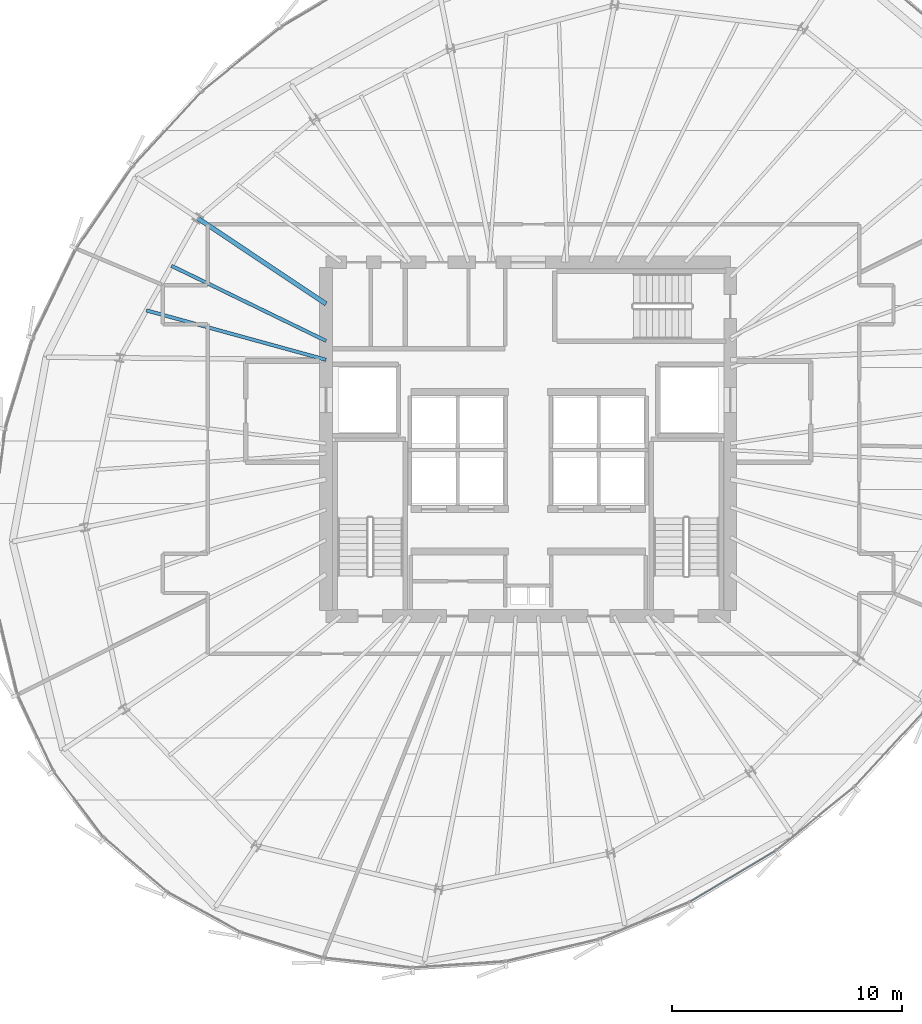
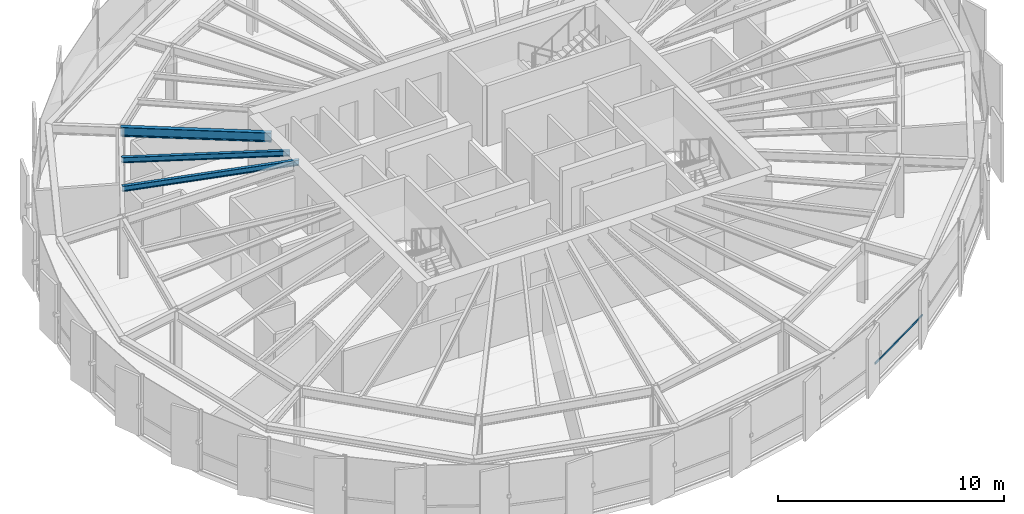
# One storey, part 11 of 34: 3 beams, 1 member, 1 element without a shape of its own.
"""IFC4 building model written with IfcOpenShell, lengths in metres."""

from ifc_helpers import new_model, si_unit, direction, frame, origin, origin_2d, place, context, subcontext, project, spatial, hollow_rectangle, i_section, extrude, source, transform, mapped, material, layer, layer_set, material_profile, profile_set, type_object, element, aggregate, save


model = new_model("IFC4")

# Units and contexts
model_context = context("Model", 3, precision=1e-05, world=origin(), true_north=direction((0.0, 1.0)))
body_context = subcontext(model_context, "Body", "Model", "MODEL_VIEW")
ifc_project = project(units=[si_unit("LENGTHUNIT", "METRE"), si_unit("AREAUNIT", "SQUARE_METRE"), si_unit("VOLUMEUNIT", "CUBIC_METRE"), si_unit("PLANEANGLEUNIT", "RADIAN"), si_unit("MASSUNIT", "GRAM", prefix="KILO"), si_unit("THERMODYNAMICTEMPERATUREUNIT", "KELVIN")], contexts=[model_context])

# Site, building, storey
site_placement = place(None, origin())
site = spatial("IfcSite", under=ifc_project, at=site_placement, CompositionType="ELEMENT")
building_placement = place(site_placement, origin())
building = spatial("IfcBuilding", under=site, at=building_placement, Name="Kethvar Cultural Tower", CompositionType="ELEMENT")
storey_placement = place(building_placement, frame((0.0, 0.0, 207.89990234375)))
storey = spatial("IfcBuildingStorey", under=building, at=storey_placement, Name="L54", CompositionType="ELEMENT", Elevation=207.89990234375)

# Beams
ifc_material_1 = material(Name="Steel S355J2", Category="steel")
ifc_material_profile_1 = material_profile(ifc_material_1, i_section(OverallWidth=0.199951171875, OverallDepth=0.5, WebThickness=0.01025390625, FlangeThickness=0.01611328125, FilletRadius=0.02099609375, at=origin_2d()), Name="Steel S355J2 — IPE500")
ifc_profile_set_1 = profile_set([ifc_material_profile_1], Name="Steel S355J2 — IPE500")
beam_type_1 = type_object("IfcBeamType", Name="BM-IPE500", PredefinedType="BEAM", material=ifc_profile_set_1)
shared_shape_1 = source(origin(), body_context, "Body", "SweptSolid", [
    extrude(i_section(OverallWidth=0.199951171875, OverallDepth=0.5, WebThickness=0.01025390625, FlangeThickness=0.01611328125, FilletRadius=0.02099609375, at=origin_2d()), origin(), (0.0, 0.0, 1.0), 6.713134765625),
])
beam_1_placement = place(storey_placement, frame((38.0, 33.679931640625, 3.008056640625), z_axis=(-0.831479157792, 0.55555594692, 0.0), x_axis=(-0.55555594692, -0.831479157792, 0.0)))
element("IfcBeam", 1, at=beam_1_placement, inside=storey, type_object=beam_type_1, Name="L54 Primary Radial Beam RB-07", PredefinedType="BEAM", context=body_context, shape_type="MappedRepresentation", body=[
    mapped(shared_shape_1, transform((0.0, 0.0, 0.0), scale=1.0)),
])
ifc_material_profile_2 = material_profile(ifc_material_1, i_section(OverallWidth=0.14990234375, OverallDepth=0.300048828125, WebThickness=0.007080078125, FlangeThickness=0.0107421875, FilletRadius=0.014892578125, at=origin_2d()), Name="Steel S355J2 — IPE300")
ifc_profile_set_2 = profile_set([ifc_material_profile_2], Name="Steel S355J2 — IPE300")
beam_type_2 = type_object("IfcBeamType", Name="BM-J300", PredefinedType="JOIST", material=ifc_profile_set_2)
shared_shape_2 = source(origin(), body_context, "Body", "SweptSolid", [
    extrude(i_section(OverallWidth=0.14990234375, OverallDepth=0.300048828125, WebThickness=0.007080078125, FlangeThickness=0.0107421875, FilletRadius=0.014892578125, at=origin_2d()), origin(), (0.0, 0.0, 1.0), 7.48779296875),
])
beam_2_placement = place(storey_placement, frame((38.0, 32.073486328125, 3.108154296875), z_axis=(-0.8995385432, 0.436841400623, 0.0), x_axis=(-0.436841400623, -0.8995385432, 0.0)))
element("IfcBeam", 2, at=beam_2_placement, inside=storey, type_object=beam_type_2, Name="L54 Composite Floor Joist J-07A", PredefinedType="JOIST", context=body_context, shape_type="MappedRepresentation", body=[
    mapped(shared_shape_2, transform((0.0, 0.0, 0.0), scale=1.0)),
])
shared_shape_3 = source(origin(), body_context, "Body", "SweptSolid", [
    extrude(i_section(OverallWidth=0.14990234375, OverallDepth=0.300048828125, WebThickness=0.007080078125, FlangeThickness=0.0107421875, FilletRadius=0.014892578125, at=origin_2d()), origin(), (0.0, 0.0, 1.0), 8.111572265625),
])
beam_3_placement = place(storey_placement, frame((38.0, 31.25, 3.108154296875), z_axis=(-0.96420462331, 0.265159281164, 0.0), x_axis=(-0.265159281164, -0.96420462331, 0.0)))
element("IfcBeam", 3, at=beam_3_placement, inside=storey, type_object=beam_type_2, Name="L54 Composite Floor Joist J-07B", PredefinedType="JOIST", context=body_context, shape_type="MappedRepresentation", body=[
    mapped(shared_shape_3, transform((0.0, 0.0, 0.0), scale=1.0)),
])

# Curtain wall, member
ifc_material_2 = material(Name="Aluminium 6063-T6", Category="aluminium")
ifc_layer = layer(ifc_material_2, 0.179931640625, Name="Aluminium 6063-T6", Category="aluminium")
ifc_layer_set = layer_set([ifc_layer], Name="Aluminium 6063-T6 (180 mm)")
curtain_wall_type = type_object("IfcCurtainWallType", Name="CW-SYS-04-Z34", PredefinedType="NOTDEFINED", material=ifc_layer_set)
curtain_wall_placement = place(storey_placement, origin())
curtain_wall = element("IfcCurtainWall", 4, at=curtain_wall_placement, inside=storey, type_object=curtain_wall_type, Name="L54 Curtain Wall Run 05", PredefinedType="NOTDEFINED")
ifc_material_profile_3 = material_profile(ifc_material_2, hollow_rectangle(XDim=0.050048828125, YDim=0.10009765625, WallThickness=0.00390625, at=origin_2d()), Name="Aluminium 6063-T6 — RHS100x50x4")
ifc_profile_set_3 = profile_set([ifc_material_profile_3], Name="Aluminium 6063-T6 — RHS100x50x4")
member_type = type_object("IfcMemberType", Name="CW-SYS-04-Z34-TRN", PredefinedType="USERDEFINED", material=ifc_profile_set_3)
shared_shape_4 = source(origin(), body_context, "Body", "SweptSolid", [
    extrude(hollow_rectangle(XDim=0.050048828125, YDim=0.10009765625, WallThickness=0.00390625, at=origin_2d()), origin(), (0.0, 0.0, 1.0), 4.30126953125),
])
member_placement = place(storey_placement, frame((53.856201171875, 7.666015625, 0.9501953125), z_axis=(0.858857180378, 0.51221513421, 0.0), x_axis=(-0.51221513421, 0.858857180378, 0.0)))
member = element("IfcMember", 5, at=member_placement, type_object=member_type, Name="CW-L54-R05 Transom 2", ObjectType="TRANSOM", PredefinedType="USERDEFINED", context=body_context, shape_type="MappedRepresentation", body=[
    mapped(shared_shape_4, transform((0.0, 0.0, 0.0), scale=1.0)),
])
aggregate(curtain_wall, [member])

save(model, "model.ifc")
